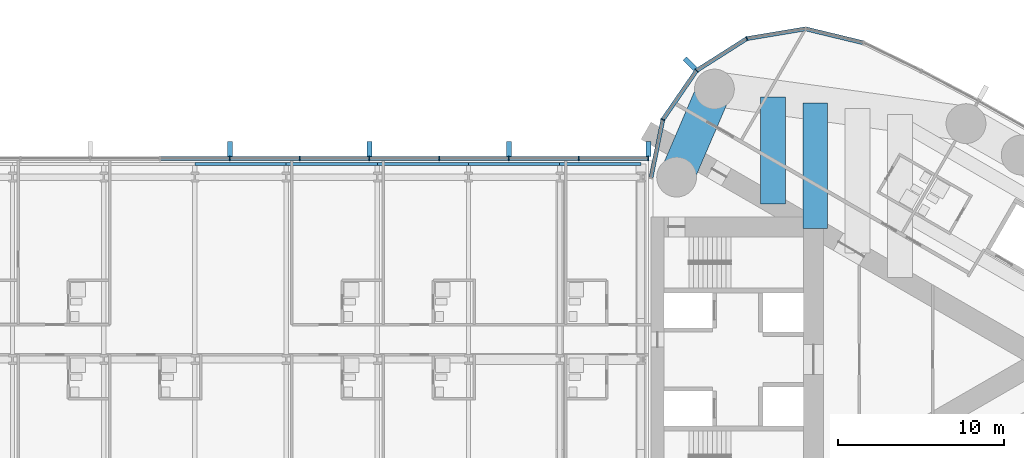
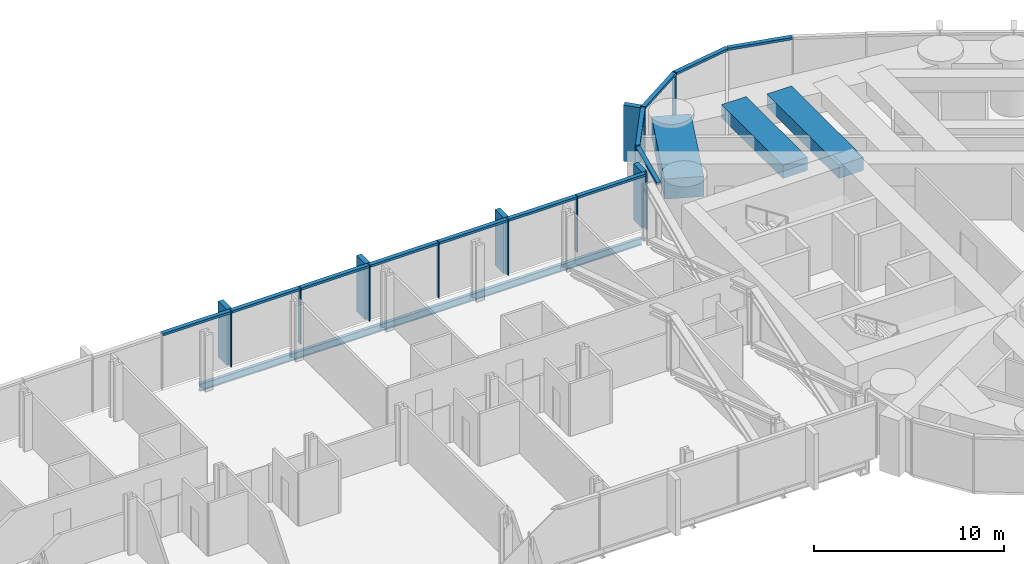
# One storey, part 10 of 22: 27 members, 8 beams, 2 elements without a shape of their own.
"""IFC4 building model written with IfcOpenShell, lengths in metres."""

from ifc_helpers import new_model, si_unit, direction, frame, origin, origin_2d, place, context, subcontext, project, spatial, rectangle, i_section, extrude, material, material_profile, profile_set, type_object, element, aggregate, save


model = new_model("IFC4")

# Units and contexts
model_context = context("Model", 3, precision=1e-05, world=origin(), true_north=direction((0.0, 1.0)))
body_context = subcontext(model_context, "Body", "Model", "MODEL_VIEW")
ifc_project = project(units=[si_unit("LENGTHUNIT", "METRE"), si_unit("AREAUNIT", "SQUARE_METRE"), si_unit("VOLUMEUNIT", "CUBIC_METRE"), si_unit("PLANEANGLEUNIT", "RADIAN"), si_unit("MASSUNIT", "GRAM", prefix="KILO")], contexts=[model_context])

# Site, building, storey
site_placement = place(None, origin())
site = spatial("IfcSite", under=ifc_project, at=site_placement, CompositionType="ELEMENT")
building_placement = place(site_placement, origin())
building = spatial("IfcBuilding", under=site, at=building_placement, Name="Lancet Gate Hotel", CompositionType="ELEMENT")
storey_placement = place(building_placement, frame((0.0, 0.0, 233.300048828125)))
storey = spatial("IfcBuildingStorey", under=building, at=storey_placement, Name="L62", CompositionType="ELEMENT", Elevation=233.300048828125)

# Curtain wall, members
ifc_material_1 = material(Name="Aluminium curtain wall", Category="aluminium")
curtain_wall_type_1 = type_object("IfcCurtainWallType", Name="Tower unitised curtain wall", PredefinedType="USERDEFINED", material=ifc_material_1)
curtain_wall_1_placement = place(storey_placement, origin())
curtain_wall_1 = element("IfcCurtainWall", 1, at=curtain_wall_1_placement, inside=storey, type_object=curtain_wall_type_1, Name="T2 L62 curtain wall 1", ObjectType="UNITISED CURTAIN WALL", PredefinedType="USERDEFINED")
ifc_material_2 = material(Name="Aluminium mullion", Category="aluminium")
ifc_material_profile_1 = material_profile(ifc_material_2, rectangle(XDim=0.06494140625, YDim=0.25, at=origin_2d()), Name="MULLION 65x250")
ifc_profile_set_1 = profile_set([ifc_material_profile_1], Name="Aluminium mullion")
member_type_1 = type_object("IfcMemberType", Name="Aluminium mullion 65x250", PredefinedType="MULLION", material=ifc_profile_set_1)
member_1_placement = place(storey_placement, frame((33.283203125, 19.353515625, 0.0), z_axis=(0.0, 0.0, 1.0), x_axis=(-0.93394321776, -0.357421412343, 0.0)))
member_1 = element("IfcMember", 2, at=member_1_placement, type_object=member_type_1, Name="T2 L62 curtain wall 1 mullion 24", PredefinedType="MULLION", context=body_context, shape_type="SweptSolid", body=[
    extrude(rectangle(XDim=0.06494140625, YDim=0.25, at=origin_2d()), origin(), (0.0, 0.0, 1.0), 3.599853515625),
])
member_2_placement = place(storey_placement, frame((30.25244140625, 17.42626953125, 0.0), z_axis=(0.0, 0.0, 1.0), x_axis=(-0.719809077627, -0.694172090886, 0.0)))
member_2 = element("IfcMember", 3, at=member_2_placement, type_object=member_type_1, Name="T2 L62 curtain wall 1 mullion 25", PredefinedType="MULLION", context=body_context, shape_type="SweptSolid", body=[
    extrude(rectangle(XDim=0.06494140625, YDim=0.25, at=origin_2d()), origin(), (0.0, 0.0, 1.0), 3.599853515625),
])
member_3_placement = place(storey_placement, frame((28.216552734375, 14.467529296875, 0.0), z_axis=(0.0, 0.0, 1.0), x_axis=(-0.391042139098, -0.920372775265, 0.0)))
member_3 = element("IfcMember", 4, at=member_3_placement, type_object=member_type_1, Name="T2 L62 curtain wall 1 mullion 26", PredefinedType="MULLION", context=body_context, shape_type="SweptSolid", body=[
    extrude(rectangle(XDim=0.06494140625, YDim=0.25, at=origin_2d()), origin(), (0.0, 0.0, 1.0), 3.599853515625),
])

ifc_material_3 = material(Name="Aluminium curtain wall", Category="aluminium")
curtain_wall_type_2 = type_object("IfcCurtainWallType", Name="Bridge block curtain wall", PredefinedType="USERDEFINED", material=ifc_material_3)
curtain_wall_2_placement = place(storey_placement, origin())
curtain_wall_2 = element("IfcCurtainWall", 5, at=curtain_wall_2_placement, inside=storey, type_object=curtain_wall_type_2, Name="Bridge block L62 curtain wall N", ObjectType="UNITISED CURTAIN WALL", PredefinedType="USERDEFINED")
member_4_placement = place(storey_placement, frame((27.35009765625, 12.1201171875, 0.0), z_axis=(0.0, 0.0, 1.0), x_axis=(-1.0, 0.0, 0.0)))
member_4 = element("IfcMember", 6, at=member_4_placement, type_object=member_type_1, Name="Bridge block L62 curtain wall N mullion 1", PredefinedType="MULLION", context=body_context, shape_type="SweptSolid", body=[
    extrude(rectangle(XDim=0.06494140625, YDim=0.25, at=origin_2d()), origin(), (0.0, 0.0, 1.0), 3.599853515625),
])
member_5_placement = place(storey_placement, frame((23.142333984375, 12.1201171875, 0.0), z_axis=(0.0, 0.0, 1.0), x_axis=(-1.0, 0.0, 0.0)))
member_5 = element("IfcMember", 7, at=member_5_placement, type_object=member_type_1, Name="Bridge block L62 curtain wall N mullion 2", PredefinedType="MULLION", context=body_context, shape_type="SweptSolid", body=[
    extrude(rectangle(XDim=0.06494140625, YDim=0.25, at=origin_2d()), origin(), (0.0, 0.0, 1.0), 3.599853515625),
])
member_6_placement = place(storey_placement, frame((18.9345703125, 12.1201171875, 0.0), z_axis=(0.0, 0.0, 1.0), x_axis=(-1.0, 0.0, 0.0)))
member_6 = element("IfcMember", 8, at=member_6_placement, type_object=member_type_1, Name="Bridge block L62 curtain wall N mullion 3", PredefinedType="MULLION", context=body_context, shape_type="SweptSolid", body=[
    extrude(rectangle(XDim=0.06494140625, YDim=0.25, at=origin_2d()), origin(), (0.0, 0.0, 1.0), 3.599853515625),
])
member_7_placement = place(storey_placement, frame((14.726806640625, 12.1201171875, 0.0), z_axis=(0.0, 0.0, 1.0), x_axis=(-1.0, 0.0, 0.0)))
member_7 = element("IfcMember", 9, at=member_7_placement, type_object=member_type_1, Name="Bridge block L62 curtain wall N mullion 4", PredefinedType="MULLION", context=body_context, shape_type="SweptSolid", body=[
    extrude(rectangle(XDim=0.06494140625, YDim=0.25, at=origin_2d()), origin(), (0.0, 0.0, 1.0), 3.599853515625),
])
member_8_placement = place(storey_placement, frame((10.519287109375, 12.1201171875, 0.0), z_axis=(0.0, 0.0, 1.0), x_axis=(-1.0, 0.0, 0.0)))
member_8 = element("IfcMember", 10, at=member_8_placement, type_object=member_type_1, Name="Bridge block L62 curtain wall N mullion 5", PredefinedType="MULLION", context=body_context, shape_type="SweptSolid", body=[
    extrude(rectangle(XDim=0.06494140625, YDim=0.25, at=origin_2d()), origin(), (0.0, 0.0, 1.0), 3.599853515625),
])
member_9_placement = place(storey_placement, frame((6.3115234375, 12.1201171875, 0.0), z_axis=(0.0, 0.0, 1.0), x_axis=(-1.0, 0.0, 0.0)))
member_9 = element("IfcMember", 11, at=member_9_placement, type_object=member_type_1, Name="Bridge block L62 curtain wall N mullion 6", PredefinedType="MULLION", context=body_context, shape_type="SweptSolid", body=[
    extrude(rectangle(XDim=0.06494140625, YDim=0.25, at=origin_2d()), origin(), (0.0, 0.0, 1.0), 3.599853515625),
])
member_10_placement = place(storey_placement, frame((2.103759765625, 12.1201171875, 0.0), z_axis=(0.0, 0.0, 1.0), x_axis=(-1.0, 0.0, 0.0)))
member_10 = element("IfcMember", 12, at=member_10_placement, type_object=member_type_1, Name="Bridge block L62 curtain wall N mullion 7", PredefinedType="MULLION", context=body_context, shape_type="SweptSolid", body=[
    extrude(rectangle(XDim=0.06494140625, YDim=0.25, at=origin_2d()), origin(), (0.0, 0.0, 1.0), 3.599853515625),
])

# Member
ifc_material_4 = material(Name="Aluminium transom", Category="aluminium")
ifc_material_profile_2 = material_profile(ifc_material_4, rectangle(XDim=0.25, YDim=0.14990234375, at=origin_2d()), Name="TRANSOM 250x150")
ifc_profile_set_2 = profile_set([ifc_material_profile_2], Name="Aluminium transom")
member_type_2 = type_object("IfcMemberType", Name="Aluminium transom 250x150", PredefinedType="USERDEFINED", material=ifc_profile_set_2)
member_11_placement = place(storey_placement, frame((40.28564453125, 19.10595703125, 3.52490234375), z_axis=(-0.972002653858, 0.234969872307, 0.0), x_axis=(-0.234969872307, -0.972002653858, 0.0)))
member_11 = element("IfcMember", 13, at=member_11_placement, type_object=member_type_2, Name="T2 L62 curtain wall 1 transom 22", ObjectType="TRANSOM", PredefinedType="USERDEFINED", context=body_context, shape_type="SweptSolid", body=[
    extrude(rectangle(XDim=0.25, YDim=0.14990234375, at=origin_2d()), origin(), (0.0, 0.0, 1.0), 3.5263671875),
])

member_12_placement = place(storey_placement, frame((36.794189453125, 19.936767578125, 3.52490234375), z_axis=(-0.986483584545, -0.163860115412, 0.0), x_axis=(0.163860115412, -0.986483584545, 0.0)))
member_12 = element("IfcMember", 14, at=member_12_placement, type_object=member_type_2, Name="T2 L62 curtain wall 1 transom 23", ObjectType="TRANSOM", PredefinedType="USERDEFINED", context=body_context, shape_type="SweptSolid", body=[
    extrude(rectangle(XDim=0.25, YDim=0.14990234375, at=origin_2d()), origin(), (0.0, 0.0, 1.0), 3.526611328125),
])

member_13_placement = place(storey_placement, frame((33.255859375, 19.336181640625, 3.52490234375), z_axis=(-0.84385811281, -0.536566384938, 0.0), x_axis=(0.536566384938, -0.84385811281, 0.0)))
member_13 = element("IfcMember", 15, at=member_13_placement, type_object=member_type_2, Name="T2 L62 curtain wall 1 transom 24", ObjectType="TRANSOM", PredefinedType="USERDEFINED", context=body_context, shape_type="SweptSolid", body=[
    extrude(rectangle(XDim=0.25, YDim=0.14990234375, at=origin_2d()), origin(), (0.0, 0.0, 1.0), 3.52685546875),
])

member_14_placement = place(storey_placement, frame((30.234130859375, 17.399658203125, 3.52490234375), z_axis=(-0.566813768052, -0.82384595183, 0.0), x_axis=(0.82384595183, -0.566813768052, 0.0)))
member_14 = element("IfcMember", 16, at=member_14_placement, type_object=member_type_2, Name="T2 L62 curtain wall 1 transom 25", ObjectType="TRANSOM", PredefinedType="USERDEFINED", context=body_context, shape_type="SweptSolid", body=[
    extrude(rectangle(XDim=0.25, YDim=0.14990234375, at=origin_2d()), origin(), (0.0, 0.0, 1.0), 3.52685546875),
])

member_15_placement = place(storey_placement, frame((28.210205078125, 14.435546875, 3.52490234375), z_axis=(-0.19952323725, -0.979893095086, 0.0), x_axis=(0.979893095086, -0.19952323725, 0.0)))
member_15 = element("IfcMember", 17, at=member_15_placement, type_object=member_type_2, Name="T2 L62 curtain wall 1 transom 26", ObjectType="TRANSOM", PredefinedType="USERDEFINED", context=body_context, shape_type="SweptSolid", body=[
    extrude(rectangle(XDim=0.25, YDim=0.14990234375, at=origin_2d()), origin(), (0.0, 0.0, 1.0), 3.5263671875),
])

member_16_placement = place(storey_placement, frame((27.3173828125, 12.1201171875, 3.52490234375), z_axis=(-1.0, 0.0, 0.0), x_axis=(0.0, -1.0, 0.0)))
member_16 = element("IfcMember", 18, at=member_16_placement, type_object=member_type_2, Name="Bridge block L62 curtain wall N transom 1", ObjectType="TRANSOM", PredefinedType="USERDEFINED", context=body_context, shape_type="SweptSolid", body=[
    extrude(rectangle(XDim=0.25, YDim=0.14990234375, at=origin_2d()), origin(), (0.0, 0.0, 1.0), 4.142578125),
])

member_17_placement = place(storey_placement, frame((23.10986328125, 12.1201171875, 3.52490234375), z_axis=(-1.0, 0.0, 0.0), x_axis=(0.0, -1.0, 0.0)))
member_17 = element("IfcMember", 19, at=member_17_placement, type_object=member_type_2, Name="Bridge block L62 curtain wall N transom 2", ObjectType="TRANSOM", PredefinedType="USERDEFINED", context=body_context, shape_type="SweptSolid", body=[
    extrude(rectangle(XDim=0.25, YDim=0.14990234375, at=origin_2d()), origin(), (0.0, 0.0, 1.0), 4.142822265625),
])

member_18_placement = place(storey_placement, frame((18.902099609375, 12.1201171875, 3.52490234375), z_axis=(-1.0, 0.0, 0.0), x_axis=(0.0, -1.0, 0.0)))
member_18 = element("IfcMember", 20, at=member_18_placement, type_object=member_type_2, Name="Bridge block L62 curtain wall N transom 3", ObjectType="TRANSOM", PredefinedType="USERDEFINED", context=body_context, shape_type="SweptSolid", body=[
    extrude(rectangle(XDim=0.25, YDim=0.14990234375, at=origin_2d()), origin(), (0.0, 0.0, 1.0), 4.142578125),
])

member_19_placement = place(storey_placement, frame((14.6943359375, 12.1201171875, 3.52490234375), z_axis=(-1.0, 0.0, 0.0), x_axis=(0.0, -1.0, 0.0)))
member_19 = element("IfcMember", 21, at=member_19_placement, type_object=member_type_2, Name="Bridge block L62 curtain wall N transom 4", ObjectType="TRANSOM", PredefinedType="USERDEFINED", context=body_context, shape_type="SweptSolid", body=[
    extrude(rectangle(XDim=0.25, YDim=0.14990234375, at=origin_2d()), origin(), (0.0, 0.0, 1.0), 4.142578125),
])

member_20_placement = place(storey_placement, frame((10.48681640625, 12.1201171875, 3.52490234375), z_axis=(-1.0, 0.0, 0.0), x_axis=(0.0, -1.0, 0.0)))
member_20 = element("IfcMember", 22, at=member_20_placement, type_object=member_type_2, Name="Bridge block L62 curtain wall N transom 5", ObjectType="TRANSOM", PredefinedType="USERDEFINED", context=body_context, shape_type="SweptSolid", body=[
    extrude(rectangle(XDim=0.25, YDim=0.14990234375, at=origin_2d()), origin(), (0.0, 0.0, 1.0), 4.142822265625),
])

member_21_placement = place(storey_placement, frame((6.279052734375, 12.1201171875, 3.52490234375), z_axis=(-1.0, 0.0, 0.0), x_axis=(0.0, -1.0, 0.0)))
member_21 = element("IfcMember", 23, at=member_21_placement, type_object=member_type_2, Name="Bridge block L62 curtain wall N transom 6", ObjectType="TRANSOM", PredefinedType="USERDEFINED", context=body_context, shape_type="SweptSolid", body=[
    extrude(rectangle(XDim=0.25, YDim=0.14990234375, at=origin_2d()), origin(), (0.0, 0.0, 1.0), 4.142822265625),
])

member_22_placement = place(storey_placement, frame((2.0712890625, 12.1201171875, 3.52490234375), z_axis=(-1.0, 0.0, 0.0), x_axis=(0.0, -1.0, 0.0)))
member_22 = element("IfcMember", 24, at=member_22_placement, type_object=member_type_2, Name="Bridge block L62 curtain wall N transom 7", ObjectType="TRANSOM", PredefinedType="USERDEFINED", context=body_context, shape_type="SweptSolid", body=[
    extrude(rectangle(XDim=0.25, YDim=0.14990234375, at=origin_2d()), origin(), (0.0, 0.0, 1.0), 4.142578125),
])

# Beams
ifc_material_5 = material(Name="Steel S355", Category="steel")
ifc_material_profile_3 = material_profile(ifc_material_5, i_section(OverallWidth=0.19140625, OverallDepth=0.4599609375, WebThickness=0.010009765625, FlangeThickness=0.01611328125, FilletRadius=0.01025390625, at=origin_2d()), Name="UKB 457x191x82")
ifc_profile_set_3 = profile_set([ifc_material_profile_3], Name="Steel S355")
beam_type_1 = type_object("IfcBeamType", Name="Block edge beam UKB 457x191x82", PredefinedType="SPANDREL", material=ifc_profile_set_3)
for number, where, z_axis, x_axis, name in (
    (25, (0.0, 11.800048828125, -0.429931640625), (1.0, 0.0, 0.0), (0.0, 1.0, 0.0), "Block edge beam N 5-6 L62"),
    (26, (5.5, 11.800048828125, -0.429931640625), (1.0, 0.0, 0.0), (0.0, 1.0, 0.0), "Block edge beam N 6-7 L62"),
    (27, (11.0, 11.800048828125, -0.429931640625), (1.0, 0.0, 0.0), (0.0, 1.0, 0.0), "Block edge beam N 7-8 L62"),
    (28, (16.5, 11.800048828125, -0.429931640625), (1.0, 0.0, 0.0), (0.0, 1.0, 0.0), "Block edge beam N 8-9 L62"),
):
    element("IfcBeam", number, at=place(storey_placement, frame(where, z_axis=z_axis, x_axis=x_axis)), inside=storey, type_object=beam_type_1, Name=name, PredefinedType="SPANDREL", context=body_context, shape_type="SweptSolid", body=[
        extrude(i_section(OverallWidth=0.19140625, OverallDepth=0.4599609375, WebThickness=0.010009765625, FlangeThickness=0.01611328125, FilletRadius=0.01025390625, at=origin_2d()), origin(), (0.0, 0.0, 1.0), 5.5),
    ])
beam_1_placement = place(storey_placement, frame((22.0, 11.800048828125, -0.429931640625), z_axis=(1.0, 0.0, 0.0), x_axis=(0.0, 1.0, 0.0)))
element("IfcBeam", 29, at=beam_1_placement, inside=storey, type_object=beam_type_1, Name="Block edge beam N 9-10 L62", PredefinedType="SPANDREL", context=body_context, shape_type="SweptSolid", body=[
    extrude(i_section(OverallWidth=0.19140625, OverallDepth=0.4599609375, WebThickness=0.010009765625, FlangeThickness=0.01611328125, FilletRadius=0.01025390625, at=origin_2d()), origin(), (0.0, 0.0, 1.0), 4.89990234375),
])
ifc_material_6 = material(Name="Concrete C50/60", Category="concrete")
ifc_material_profile_4 = material_profile(ifc_material_6, rectangle(XDim=2.10009765625, YDim=1.300048828125, at=origin_2d()), Name="RC 2100x1300")
ifc_profile_set_4 = profile_set([ifc_material_profile_4], Name="Concrete C50/60")
beam_type_2 = type_object("IfcBeamType", Name="Edge beam RC 2100x1300", PredefinedType="SPANDREL", material=ifc_profile_set_4)
beam_2_placement = place(storey_placement, frame((29.050048828125, 11.0, 2.699951171875), z_axis=(0.394250694824, 0.91900293233, 0.0), x_axis=(-0.91900293233, 0.394250694824, 0.0)))
element("IfcBeam", 30, at=beam_2_placement, inside=storey, type_object=beam_type_2, Name="T2 edge beam EB1 L62", PredefinedType="SPANDREL", context=body_context, shape_type="SweptSolid", body=[
    extrude(rectangle(XDim=2.10009765625, YDim=1.300048828125, at=origin_2d()), origin(), (0.0, 0.0, 1.0), 5.77880859375),
])

# Member
ifc_material_7 = material(Name="Precast concrete C50/60", Category="concrete")
ifc_material_profile_5 = material_profile(ifc_material_7, rectangle(XDim=0.300048828125, YDim=0.89990234375, at=origin_2d()), Name="FIN 300x900")
ifc_profile_set_5 = profile_set([ifc_material_profile_5], Name="Precast concrete C50/60")
member_type_3 = type_object("IfcMemberType", Name="Exposed concrete fin 300x900", PredefinedType="USERDEFINED", material=ifc_profile_set_5)
member_23_placement = place(storey_placement, frame((29.853271484375, 17.84033203125, 0.0), z_axis=(0.0, 0.0, 1.0), x_axis=(-0.719809077627, -0.694172090886, 0.0)))
member_23 = element("IfcMember", 31, at=member_23_placement, type_object=member_type_3, Name="T2 L62 curtain wall 1 fin 25", ObjectType="FIN", PredefinedType="USERDEFINED", context=body_context, shape_type="SweptSolid", body=[
    extrude(rectangle(XDim=0.300048828125, YDim=0.89990234375, at=origin_2d()), origin(), (0.0, 0.0, 1.0), 3.599853515625),
])

aggregate(curtain_wall_1, [member_1, member_2, member_23, member_3, member_11, member_12, member_13, member_14, member_15])

member_24_placement = place(storey_placement, frame((27.35009765625, 12.695068359375, 0.0), z_axis=(0.0, 0.0, 1.0), x_axis=(-1.0, 0.0, 0.0)))
member_24 = element("IfcMember", 32, at=member_24_placement, type_object=member_type_3, Name="Bridge block L62 curtain wall N fin 1", ObjectType="FIN", PredefinedType="USERDEFINED", context=body_context, shape_type="SweptSolid", body=[
    extrude(rectangle(XDim=0.300048828125, YDim=0.89990234375, at=origin_2d()), origin(), (0.0, 0.0, 1.0), 3.599853515625),
])

member_25_placement = place(storey_placement, frame((18.9345703125, 12.695068359375, 0.0), z_axis=(0.0, 0.0, 1.0), x_axis=(-1.0, 0.0, 0.0)))
member_25 = element("IfcMember", 33, at=member_25_placement, type_object=member_type_3, Name="Bridge block L62 curtain wall N fin 3", ObjectType="FIN", PredefinedType="USERDEFINED", context=body_context, shape_type="SweptSolid", body=[
    extrude(rectangle(XDim=0.300048828125, YDim=0.89990234375, at=origin_2d()), origin(), (0.0, 0.0, 1.0), 3.599853515625),
])

member_26_placement = place(storey_placement, frame((10.519287109375, 12.695068359375, 0.0), z_axis=(0.0, 0.0, 1.0), x_axis=(-1.0, 0.0, 0.0)))
member_26 = element("IfcMember", 34, at=member_26_placement, type_object=member_type_3, Name="Bridge block L62 curtain wall N fin 5", ObjectType="FIN", PredefinedType="USERDEFINED", context=body_context, shape_type="SweptSolid", body=[
    extrude(rectangle(XDim=0.300048828125, YDim=0.89990234375, at=origin_2d()), origin(), (0.0, 0.0, 1.0), 3.599853515625),
])

member_27_placement = place(storey_placement, frame((2.103759765625, 12.695068359375, 0.0), z_axis=(0.0, 0.0, 1.0), x_axis=(-1.0, 0.0, 0.0)))
member_27 = element("IfcMember", 35, at=member_27_placement, type_object=member_type_3, Name="Bridge block L62 curtain wall N fin 7", ObjectType="FIN", PredefinedType="USERDEFINED", context=body_context, shape_type="SweptSolid", body=[
    extrude(rectangle(XDim=0.300048828125, YDim=0.89990234375, at=origin_2d()), origin(), (0.0, 0.0, 1.0), 3.599853515625),
])

aggregate(curtain_wall_2, [member_4, member_24, member_5, member_6, member_25, member_7, member_8, member_26, member_9, member_10, member_27, member_16, member_17, member_18, member_19, member_20, member_21, member_22])

# Beams
ifc_material_8 = material(Name="Concrete C50/60", Category="concrete")
ifc_material_profile_6 = material_profile(ifc_material_8, rectangle(XDim=1.5, YDim=0.85009765625, at=origin_2d()), Name="RC 1500x850")
ifc_profile_set_6 = profile_set([ifc_material_profile_6], Name="Concrete C50/60")
beam_type_3 = type_object("IfcBeamType", Name="Floor beam RC 1500x850", PredefinedType="BEAM", material=ifc_profile_set_6)
beam_3_placement = place(storey_placement, frame((34.859619140625, 9.377685546875, 2.925048828125), z_axis=(0.0, 1.0, 0.0), x_axis=(-1.0, 0.0, 0.0)))
element("IfcBeam", 36, at=beam_3_placement, inside=storey, type_object=beam_type_3, Name="T2 floor beam F02N L62", PredefinedType="BEAM", context=body_context, shape_type="SweptSolid", body=[
    extrude(rectangle(XDim=1.5, YDim=0.85009765625, at=origin_2d()), origin(), (0.0, 0.0, 1.0), 6.44775390625),
])
beam_4_placement = place(storey_placement, frame((37.412841796875, 7.903564453125, 2.925048828125), z_axis=(0.0, 1.0, 0.0), x_axis=(-1.0, 0.0, 0.0)))
element("IfcBeam", 37, at=beam_4_placement, inside=storey, type_object=beam_type_3, Name="T2 floor beam F04N L62", PredefinedType="BEAM", context=body_context, shape_type="SweptSolid", body=[
    extrude(rectangle(XDim=1.5, YDim=0.85009765625, at=origin_2d()), origin(), (0.0, 0.0, 1.0), 7.57080078125),
])

save(model, "model.ifc")
